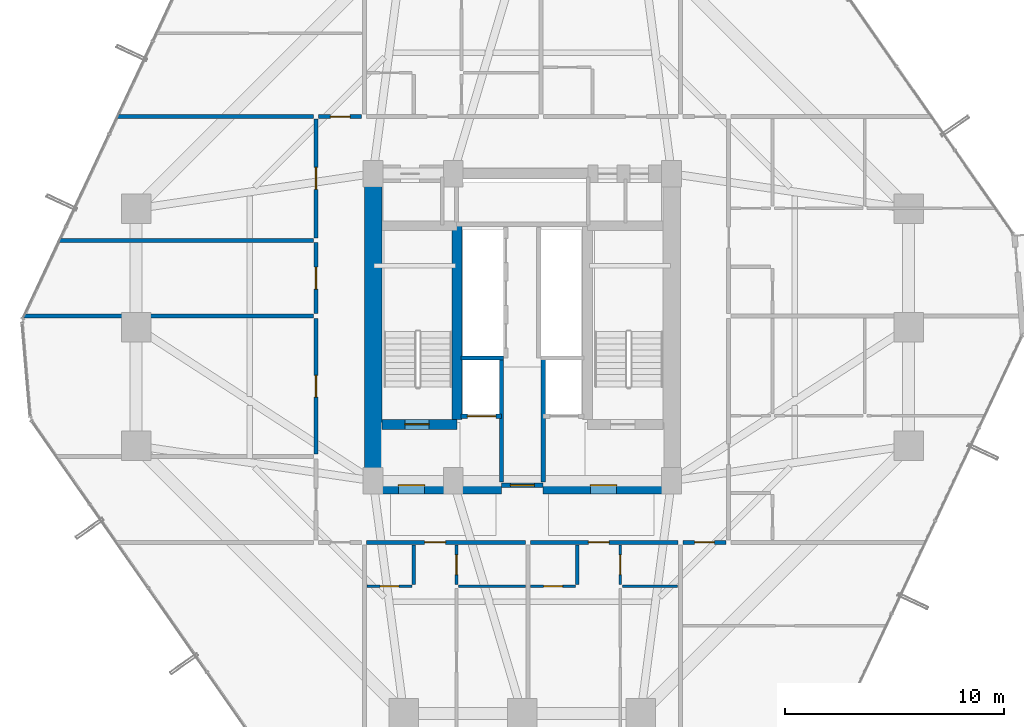
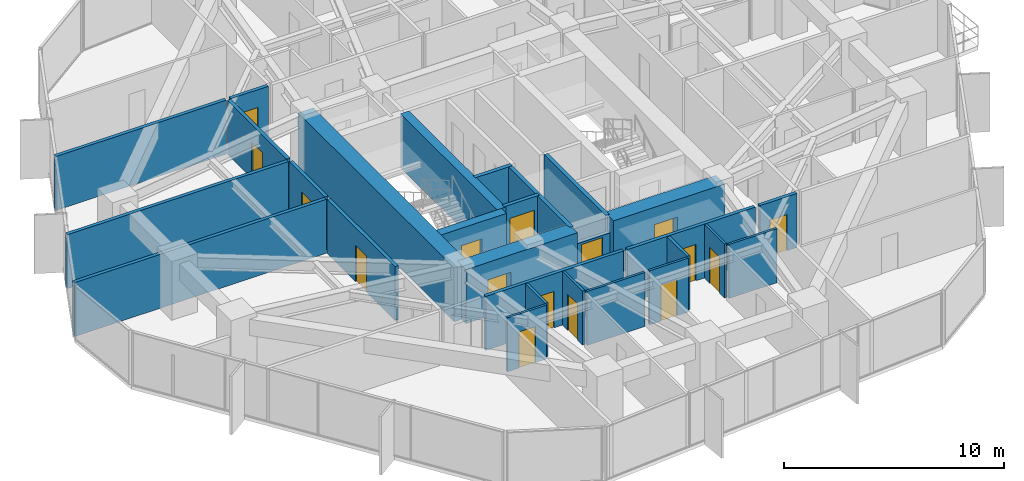
# One storey, part 33 of 37: 28 walls, 16 doors, 16 openings.
"""IFC4 building model written with IfcOpenShell, lengths in metres."""

from ifc_helpers import new_model, si_unit, direction, frame, frame_2d, origin, place, context, subcontext, project, spatial, rectangle, extrude, source, transform, mapped, material, layer, layer_set, type_object, element, fill, save


model = new_model("IFC4")

# Units and contexts
model_context = context("Model", 3, precision=1e-05, world=origin(), true_north=direction((0.0, 1.0)))
body_context = subcontext(model_context, "Body", "Model", "MODEL_VIEW")
ifc_project = project(units=[si_unit("LENGTHUNIT", "METRE"), si_unit("AREAUNIT", "SQUARE_METRE"), si_unit("VOLUMEUNIT", "CUBIC_METRE"), si_unit("PLANEANGLEUNIT", "RADIAN"), si_unit("MASSUNIT", "GRAM", prefix="KILO")], contexts=[model_context])

# Site, building, storey
site_placement = place(None, origin())
site = spatial("IfcSite", under=ifc_project, at=site_placement, CompositionType="ELEMENT")
building_placement = place(site_placement, origin())
building = spatial("IfcBuilding", under=site, at=building_placement, Name="Veraguas Prism Commons", CompositionType="ELEMENT")
storey_placement = place(building_placement, frame((0.0, 0.0, 40.300048828125)))
storey = spatial("IfcBuildingStorey", under=building, at=storey_placement, Name="L10", CompositionType="ELEMENT", Elevation=40.300048828125)

# Wall, opening, door
ifc_material_1 = material(Name="Concrete C60/75", Category="concrete")
ifc_layer_1 = layer(ifc_material_1, 0.449951171875, Name="Core Internal Shear Wall Lower RC 450", Category="concrete")
ifc_layer_set_1 = layer_set([ifc_layer_1], Name="Concrete C60/75")
wall_type_1 = type_object("IfcWallType", Name="Core Internal Shear Wall Lower RC 450", PredefinedType="SHEAR", material=ifc_layer_set_1)
wall_1_placement = place(storey_placement, frame((17.60009765625, 19.574951171875, 0.0), z_axis=(0.0, 0.0, 1.0), x_axis=(1.0, 0.0, 0.0)))
wall_1 = element("IfcWall", 1, at=wall_1_placement, inside=storey, type_object=wall_type_1, Name="Stair ST-01 South Shear Wall L10", PredefinedType="SHEAR", context=body_context, shape_type="SweptSolid", body=[
    extrude(rectangle(XDim=3.4248046875, YDim=0.449951171875, at=frame_2d((1.71240234375, 0.0))), origin(), (0.0, 0.0, 1.0), 3.0),
])
opening_1_placement = place(wall_1_placement, frame((1.050048828125, 0.0, 0.0)))
opening_1 = element("IfcOpeningElement", 2, at=opening_1_placement, cuts=wall_1, Name="Opening DR-05", PredefinedType="OPENING", context=body_context, shape_type="SweptSolid", body=[
    extrude(rectangle(XDim=1.10009765625, YDim=2.030029296875, at=frame_2d((0.550048828125, 1.01513671875))), frame((0.0, 0.23486328125, 0.0), z_axis=(0.0, -1.0, 0.0), x_axis=(1.0, 0.0, 0.0)), (0.0, 0.0, 1.0), 0.469970703125),
])
ifc_material_2 = material(Name="Steel fire-rated door assembly", Category="steel")
door_type_1 = type_object("IfcDoorType", Name="Protected Stair and Refuge Fire Door 1100x2030", OperationType="NOTDEFINED", PredefinedType="DOOR", material=ifc_material_2)
shared_shape_1 = source(origin(), body_context, "Body", "SweptSolid", [
    extrude(rectangle(XDim=1.10009765625, YDim=2.030029296875, at=frame_2d((0.550048828125, 1.01513671875))), frame((0.0, 0.02490234375, 0.0), z_axis=(0.0, -1.0, 0.0), x_axis=(1.0, 0.0, 0.0)), (0.0, 0.0, 1.0), 0.050048828125),
])
door_1_placement = place(opening_1_placement, origin())
door_1 = element("IfcDoor", 3, at=door_1_placement, inside=storey, type_object=door_type_1, Name="Stair ST-01 Enclosure Door L10", OperationType="SINGLE_SWING_LEFT", OverallHeight=2.030029296875, OverallWidth=1.10009765625, PredefinedType="DOOR", context=body_context, shape_type="MappedRepresentation", body=[
    mapped(shared_shape_1, transform((0.0, 0.0, 0.0), scale=1.0)),
])
fill(opening_1, door_1)

# Walls
wall_2_placement = place(storey_placement, frame((21.02490234375, 19.800048828125, 0.0), z_axis=(0.0, 0.0, 1.0), x_axis=(0.0, 1.0, 0.0)))
element("IfcWall", 4, at=wall_2_placement, inside=storey, type_object=wall_type_1, Name="Stair ST-01 Inner Shear Wall L10", PredefinedType="SHEAR", context=body_context, shape_type="SweptSolid", body=[
    extrude(rectangle(XDim=8.824951171875, YDim=0.449951171875, at=frame_2d((4.41259765625, 0.0))), origin(), (0.0, 0.0, 1.0), 3.0),
])
ifc_layer_2 = layer(ifc_material_1, 0.800048828125, Name="Core Outer Shear Wall Lower RC 800", Category="concrete")
ifc_layer_set_2 = layer_set([ifc_layer_2], Name="Concrete C60/75")
wall_type_2 = type_object("IfcWallType", Name="Core Outer Shear Wall Lower RC 800", PredefinedType="SHEAR", material=ifc_layer_set_2)
wall_3_placement = place(storey_placement, frame((17.199951171875, 16.800048828125, 0.0), z_axis=(0.0, 0.0, 1.0), x_axis=(0.0, 1.0, 0.0)))
element("IfcWall", 5, at=wall_3_placement, inside=storey, type_object=wall_type_2, Name="Central Core West Shear Wall L10", PredefinedType="SHEAR", context=body_context, shape_type="SweptSolid", body=[
    extrude(rectangle(XDim=14.199951171875, YDim=0.800048828125, at=frame_2d((7.10009765625, 0.0))), origin(), (0.0, 0.0, 1.0), 3.0),
])

# Wall, opening, door
wall_4_placement = place(storey_placement, frame((17.199951171875, 16.800048828125, 0.0), z_axis=(0.0, 0.0, 1.0), x_axis=(1.0, 0.0, 0.0)))
wall_4 = element("IfcWall", 6, at=wall_4_placement, inside=storey, type_object=wall_type_2, Name="Central Core South-West Shear Wall L10", PredefinedType="SHEAR", context=body_context, shape_type="SweptSolid", body=[
    extrude(rectangle(XDim=5.85009765625, YDim=0.800048828125, at=frame_2d((2.925048828125, 0.0))), origin(), (0.0, 0.0, 1.0), 3.0),
])
opening_2_placement = place(wall_4_placement, frame((1.14990234375, 0.0, 0.0)))
opening_2 = element("IfcOpeningElement", 7, at=opening_2_placement, cuts=wall_4, Name="Opening DR-06", PredefinedType="OPENING", context=body_context, shape_type="SweptSolid", body=[
    extrude(rectangle(XDim=1.199951171875, YDim=2.030029296875, at=frame_2d((0.60009765625, 1.01513671875))), frame((0.0, 0.409912109375, 0.0), z_axis=(0.0, -1.0, 0.0), x_axis=(1.0, 0.0, 0.0)), (0.0, 0.0, 1.0), 0.820068359375),
])
door_type_2 = type_object("IfcDoorType", Name="Firefighting Lobby Smoke Door 1200x2030", OperationType="NOTDEFINED", PredefinedType="DOOR", material=ifc_material_2)
shared_shape_2 = source(origin(), body_context, "Body", "SweptSolid", [
    extrude(rectangle(XDim=1.199951171875, YDim=2.030029296875, at=frame_2d((0.60009765625, 1.01513671875))), frame((0.0, 0.02490234375, 0.0), z_axis=(0.0, -1.0, 0.0), x_axis=(1.0, 0.0, 0.0)), (0.0, 0.0, 1.0), 0.050048828125),
])
door_2_placement = place(opening_2_placement, origin())
door_2 = element("IfcDoor", 8, at=door_2_placement, inside=storey, type_object=door_type_2, Name="West FF Lobby Door L10", OperationType="SINGLE_SWING_LEFT", OverallHeight=2.030029296875, OverallWidth=1.199951171875, PredefinedType="DOOR", context=body_context, shape_type="MappedRepresentation", body=[
    mapped(shared_shape_2, transform((0.0, 0.0, 0.0), scale=1.0)),
])
fill(opening_2, door_2)

wall_5_placement = place(storey_placement, frame((24.949951171875, 16.800048828125, 0.0), z_axis=(0.0, 0.0, 1.0), x_axis=(1.0, 0.0, 0.0)))
wall_5 = element("IfcWall", 9, at=wall_5_placement, inside=storey, type_object=wall_type_2, Name="Central Core South-East Shear Wall L10", PredefinedType="SHEAR", context=body_context, shape_type="SweptSolid", body=[
    extrude(rectangle(XDim=5.85009765625, YDim=0.800048828125, at=frame_2d((2.925048828125, 0.0))), origin(), (0.0, 0.0, 1.0), 3.0),
])
opening_3_placement = place(wall_5_placement, frame((2.14990234375, 0.0, 0.0)))
opening_3 = element("IfcOpeningElement", 10, at=opening_3_placement, cuts=wall_5, Name="Opening DR-06", PredefinedType="OPENING", context=body_context, shape_type="SweptSolid", body=[
    extrude(rectangle(XDim=1.199951171875, YDim=2.030029296875, at=frame_2d((0.60009765625, 1.01513671875))), frame((0.0, 0.409912109375, 0.0), z_axis=(0.0, -1.0, 0.0), x_axis=(1.0, 0.0, 0.0)), (0.0, 0.0, 1.0), 0.820068359375),
])
door_3_placement = place(opening_3_placement, origin())
door_3 = element("IfcDoor", 11, at=door_3_placement, inside=storey, type_object=door_type_2, Name="East FF Lobby Door L10", OperationType="SINGLE_SWING_LEFT", OverallHeight=2.030029296875, OverallWidth=1.199951171875, PredefinedType="DOOR", context=body_context, shape_type="MappedRepresentation", body=[
    mapped(shared_shape_2, transform((0.0, 0.0, 0.0), scale=1.0)),
])
fill(opening_3, door_3)

ifc_material_3 = material(Name="Autoclaved aerated masonry block 10 MPa", Category="masonry")
ifc_layer_3 = layer(ifc_material_3, 0.179931640625, Name="Corridor and Inter-Tenancy Partition 180", Category="masonry")
ifc_layer_set_3 = layer_set([ifc_layer_3], Name="Autoclaved aerated masonry block 10 MPa")
wall_type_3 = type_object("IfcWallType", Name="Corridor and Inter-Tenancy Partition 180", PredefinedType="PARTITIONING", material=ifc_layer_set_3)
wall_6_placement = place(storey_placement, frame((16.909912109375, 14.199951171875, 0.0), z_axis=(0.0, 0.0, 1.0), x_axis=(1.0, 0.0, 0.0)))
wall_6 = element("IfcWall", 12, at=wall_6_placement, inside=storey, type_object=wall_type_3, Name="WL-L10-PT003", PredefinedType="PARTITIONING", context=body_context, shape_type="SweptSolid", body=[
    extrude(rectangle(XDim=7.238037109375, YDim=0.179931640625, at=frame_2d((3.619140625, 0.0))), origin(), (0.0, 0.0, 1.0), 3.0),
])
opening_4_placement = place(wall_6_placement, frame((2.639892578125, 0.0, 0.0)))
opening_4 = element("IfcOpeningElement", 13, at=opening_4_placement, cuts=wall_6, Name="Opening DR-01", PredefinedType="OPENING", context=body_context, shape_type="SweptSolid", body=[
    extrude(rectangle(XDim=0.949951171875, YDim=2.02001953125, at=frame_2d((0.47509765625, 1.010009765625))), frame((0.0, 0.099853515625, 0.0), z_axis=(0.0, -1.0, 0.0), x_axis=(1.0, 0.0, 0.0)), (0.0, 0.0, 1.0), 0.199951171875),
])
ifc_material_4 = material(Name="Anodised aluminium EN AW-6063 T6", Category="aluminium")
door_type_3 = type_object("IfcDoorType", Name="Apartment Entrance Fire Door 950x2020", OperationType="NOTDEFINED", PredefinedType="DOOR", material=ifc_material_4)
shared_shape_3 = source(origin(), body_context, "Body", "SweptSolid", [
    extrude(rectangle(XDim=0.949951171875, YDim=2.02001953125, at=frame_2d((0.47509765625, 1.010009765625))), frame((0.0, 0.02490234375, 0.0), z_axis=(0.0, -1.0, 0.0), x_axis=(1.0, 0.0, 0.0)), (0.0, 0.0, 1.0), 0.050048828125),
])
door_4_placement = place(opening_4_placement, origin())
door_4 = element("IfcDoor", 14, at=door_4_placement, inside=storey, type_object=door_type_3, Name="Flat 10A Entrance Door", OperationType="SINGLE_SWING_LEFT", OverallHeight=2.02001953125, OverallWidth=0.949951171875, PredefinedType="DOOR", context=body_context, shape_type="MappedRepresentation", body=[
    mapped(shared_shape_3, transform((0.0, 0.0, 0.0), scale=1.0)),
])
fill(opening_4, door_4)

wall_7_placement = place(storey_placement, frame((24.367919921875, 14.199951171875, 0.0), z_axis=(0.0, 0.0, 1.0), x_axis=(1.0, 0.0, 0.0)))
wall_7 = element("IfcWall", 15, at=wall_7_placement, inside=storey, type_object=wall_type_3, Name="WL-L10-PT010", PredefinedType="PARTITIONING", context=body_context, shape_type="SweptSolid", body=[
    extrude(rectangle(XDim=6.72216796875, YDim=0.179931640625, at=frame_2d((3.361083984375, 0.0))), origin(), (0.0, 0.0, 1.0), 3.0),
])
opening_5_placement = place(wall_7_placement, frame((2.639892578125, 0.0, 0.0)))
opening_5 = element("IfcOpeningElement", 16, at=opening_5_placement, cuts=wall_7, Name="Opening DR-01", PredefinedType="OPENING", context=body_context, shape_type="SweptSolid", body=[
    extrude(rectangle(XDim=0.949951171875, YDim=2.02001953125, at=frame_2d((0.47509765625, 1.010009765625))), frame((0.0, 0.099853515625, 0.0), z_axis=(0.0, -1.0, 0.0), x_axis=(1.0, 0.0, 0.0)), (0.0, 0.0, 1.0), 0.199951171875),
])
door_5_placement = place(opening_5_placement, origin())
door_5 = element("IfcDoor", 17, at=door_5_placement, inside=storey, type_object=door_type_3, Name="Flat 10B Entrance Door", OperationType="SINGLE_SWING_LEFT", OverallHeight=2.02001953125, OverallWidth=0.949951171875, PredefinedType="DOOR", context=body_context, shape_type="MappedRepresentation", body=[
    mapped(shared_shape_3, transform((0.0, 0.0, 0.0), scale=1.0)),
])
fill(opening_5, door_5)

# Wall
wall_8_placement = place(storey_placement, frame((14.47998046875, 33.60009765625, 0.0), z_axis=(0.0, 0.0, 1.0), x_axis=(-1.0, 0.0, 0.0)))
element("IfcWall", 18, at=wall_8_placement, inside=storey, type_object=wall_type_3, Name="WL-L10-PT029", PredefinedType="PARTITIONING", context=body_context, shape_type="SweptSolid", body=[
    extrude(rectangle(XDim=8.96826171875, YDim=0.179931640625, at=frame_2d((4.484130859375, 0.0))), origin(), (0.0, 0.0, 1.0), 3.0),
])

# Wall, opening, door
wall_9_placement = place(storey_placement, frame((14.60009765625, 18.22705078125, 0.0), z_axis=(0.0, 0.0, 1.0), x_axis=(0.0, 1.0, 0.0)))
wall_9 = element("IfcWall", 19, at=wall_9_placement, inside=storey, type_object=wall_type_3, Name="WL-L10-PT031", PredefinedType="PARTITIONING", context=body_context, shape_type="SweptSolid", body=[
    extrude(rectangle(XDim=6.1708984375, YDim=0.179931640625, at=frame_2d((3.08544921875, 0.0))), origin(), (0.0, 0.0, 1.0), 3.0),
])
opening_6_placement = place(wall_9_placement, frame((2.58544921875, 0.0, 0.0)))
opening_6 = element("IfcOpeningElement", 20, at=opening_6_placement, cuts=wall_9, Name="Opening DR-13", PredefinedType="OPENING", context=body_context, shape_type="SweptSolid", body=[
    extrude(rectangle(XDim=1.0, YDim=2.010009765625, at=frame_2d((0.5, 1.0048828125))), frame((0.0, 0.099853515625, 0.0), z_axis=(0.0, -1.0, 0.0), x_axis=(1.0, 0.0, 0.0)), (0.0, 0.0, 1.0), 0.199951171875),
])
door_type_4 = type_object("IfcDoorType", Name="Core Accessible WC and Clinic Fire Door 1000x2010", OperationType="NOTDEFINED", PredefinedType="DOOR", material=ifc_material_2)
shared_shape_4 = source(origin(), body_context, "Body", "SweptSolid", [
    extrude(rectangle(XDim=1.0, YDim=2.010009765625, at=frame_2d((0.5, 1.0048828125))), frame((0.0, 0.02490234375, 0.0), z_axis=(0.0, -1.0, 0.0), x_axis=(1.0, 0.0, 0.0)), (0.0, 0.0, 1.0), 0.050048828125),
])
door_6_placement = place(opening_6_placement, origin())
door_6 = element("IfcDoor", 21, at=door_6_placement, inside=storey, type_object=door_type_4, Name="Co-op Store W Door", OperationType="SINGLE_SWING_RIGHT", OverallHeight=2.010009765625, OverallWidth=1.0, PredefinedType="DOOR", context=body_context, shape_type="MappedRepresentation", body=[
    mapped(shared_shape_4, transform((0.0, 0.0, 0.0), scale=1.0)),
])
fill(opening_6, door_6)

# Wall
wall_10_placement = place(storey_placement, frame((14.47998046875, 24.508056640625, 0.0), z_axis=(0.0, 0.0, 1.0), x_axis=(-1.0, 0.0, 0.0)))
element("IfcWall", 22, at=wall_10_placement, inside=storey, type_object=wall_type_3, Name="WL-L10-PT033", PredefinedType="PARTITIONING", context=body_context, shape_type="SweptSolid", body=[
    extrude(rectangle(XDim=13.227294921875, YDim=0.179931640625, at=frame_2d((6.61376953125, 0.0))), origin(), (0.0, 0.0, 1.0), 3.0),
])

# Wall, opening, door
wall_11_placement = place(storey_placement, frame((14.60009765625, 24.617919921875, 0.0), z_axis=(0.0, 0.0, 1.0), x_axis=(0.0, 1.0, 0.0)))
wall_11 = element("IfcWall", 23, at=wall_11_placement, inside=storey, type_object=wall_type_3, Name="WL-L10-PT034", PredefinedType="PARTITIONING", context=body_context, shape_type="SweptSolid", body=[
    extrude(rectangle(XDim=3.235107421875, YDim=0.179931640625, at=frame_2d((1.61767578125, 0.0))), origin(), (0.0, 0.0, 1.0), 3.0),
])
opening_7_placement = place(wall_11_placement, frame((1.117431640625, 0.0, 0.0)))
opening_7 = element("IfcOpeningElement", 24, at=opening_7_placement, cuts=wall_11, Name="Opening DR-13", PredefinedType="OPENING", context=body_context, shape_type="SweptSolid", body=[
    extrude(rectangle(XDim=1.0, YDim=2.010009765625, at=frame_2d((0.5, 1.0048828125))), frame((0.0, 0.099853515625, 0.0), z_axis=(0.0, -1.0, 0.0), x_axis=(1.0, 0.0, 0.0)), (0.0, 0.0, 1.0), 0.199951171875),
])
door_7_placement = place(opening_7_placement, origin())
door_7 = element("IfcDoor", 25, at=door_7_placement, inside=storey, type_object=door_type_4, Name="Youth Homework Study Room Door", OperationType="SINGLE_SWING_LEFT", OverallHeight=2.010009765625, OverallWidth=1.0, PredefinedType="DOOR", context=body_context, shape_type="MappedRepresentation", body=[
    mapped(shared_shape_4, transform((0.0, 0.0, 0.0), scale=1.0)),
])
fill(opening_7, door_7)

wall_12_placement = place(storey_placement, frame((14.60009765625, 28.072998046875, 0.0), z_axis=(0.0, 0.0, 1.0), x_axis=(0.0, 1.0, 0.0)))
wall_12 = element("IfcWall", 26, at=wall_12_placement, inside=storey, type_object=wall_type_3, Name="WL-L10-PT035", PredefinedType="PARTITIONING", context=body_context, shape_type="SweptSolid", body=[
    extrude(rectangle(XDim=5.4169921875, YDim=0.179931640625, at=frame_2d((2.70849609375, 0.0))), origin(), (0.0, 0.0, 1.0), 3.0),
])
opening_8_placement = place(wall_12_placement, frame((2.20849609375, 0.0, 0.0)))
opening_8 = element("IfcOpeningElement", 27, at=opening_8_placement, cuts=wall_12, Name="Opening DR-13", PredefinedType="OPENING", context=body_context, shape_type="SweptSolid", body=[
    extrude(rectangle(XDim=1.0, YDim=2.010009765625, at=frame_2d((0.5, 1.0048828125))), frame((0.0, 0.099853515625, 0.0), z_axis=(0.0, -1.0, 0.0), x_axis=(1.0, 0.0, 0.0)), (0.0, 0.0, 1.0), 0.199951171875),
])
door_8_placement = place(opening_8_placement, origin())
door_8 = element("IfcDoor", 28, at=door_8_placement, inside=storey, type_object=door_type_4, Name="Co-op Store W Door", OperationType="SINGLE_SWING_RIGHT", OverallHeight=2.010009765625, OverallWidth=1.0, PredefinedType="DOOR", context=body_context, shape_type="MappedRepresentation", body=[
    mapped(shared_shape_4, transform((0.0, 0.0, 0.0), scale=1.0)),
])
fill(opening_8, door_8)

# Wall
wall_13_placement = place(storey_placement, frame((14.47998046875, 27.962890625, 0.0), z_axis=(0.0, 0.0, 1.0), x_axis=(-1.0, 0.0, 0.0)))
element("IfcWall", 29, at=wall_13_placement, inside=storey, type_object=wall_type_3, Name="WL-L10-PT036", PredefinedType="PARTITIONING", context=body_context, shape_type="SweptSolid", body=[
    extrude(rectangle(XDim=11.608642578125, YDim=0.179931640625, at=frame_2d((5.80419921875, 0.0))), origin(), (0.0, 0.0, 1.0), 3.0),
])

# Wall, opening, door
wall_14_placement = place(storey_placement, frame((31.320068359375, 14.199951171875, 0.0), z_axis=(0.0, 0.0, 1.0), x_axis=(1.0, 0.0, 0.0)))
wall_14 = element("IfcWall", 30, at=wall_14_placement, inside=storey, type_object=wall_type_3, Name="WL-L10-PT057", PredefinedType="PARTITIONING", context=body_context, shape_type="SweptSolid", body=[
    extrude(rectangle(XDim=1.9599609375, YDim=0.179931640625, at=frame_2d((0.97998046875, 0.0))), origin(), (0.0, 0.0, 1.0), 3.0),
])
opening_9_placement = place(wall_14_placement, frame((0.530029296875, 0.0, 0.0)))
opening_9 = element("IfcOpeningElement", 31, at=opening_9_placement, cuts=wall_14, Name="Opening DR-14", PredefinedType="OPENING", context=body_context, shape_type="SweptSolid", body=[
    extrude(rectangle(XDim=0.89990234375, YDim=2.010009765625, at=frame_2d((0.449951171875, 1.0048828125))), frame((0.0, 0.099853515625, 0.0), z_axis=(0.0, -1.0, 0.0), x_axis=(1.0, 0.0, 0.0)), (0.0, 0.0, 1.0), 0.199951171875),
])
door_type_5 = type_object("IfcDoorType", Name="Core Service Room Fire Door 900x2010", OperationType="NOTDEFINED", PredefinedType="DOOR", material=ifc_material_2)
shared_shape_5 = source(origin(), body_context, "Body", "SweptSolid", [
    extrude(rectangle(XDim=0.89990234375, YDim=2.010009765625, at=frame_2d((0.449951171875, 1.0048828125))), frame((0.0, 0.02490234375, 0.0), z_axis=(0.0, -1.0, 0.0), x_axis=(1.0, 0.0, 0.0)), (0.0, 0.0, 1.0), 0.050048828125),
])
door_9_placement = place(opening_9_placement, origin())
door_9 = element("IfcDoor", 32, at=door_9_placement, inside=storey, type_object=door_type_5, Name="Shared Laundry Room Door", OperationType="SINGLE_SWING_RIGHT", OverallHeight=2.010009765625, OverallWidth=0.89990234375, PredefinedType="DOOR", context=body_context, shape_type="MappedRepresentation", body=[
    mapped(shared_shape_5, transform((0.0, 0.0, 0.0), scale=1.0)),
])
fill(opening_9, door_9)

wall_15_placement = place(storey_placement, frame((14.719970703125, 33.60009765625, 0.0), z_axis=(0.0, 0.0, 1.0), x_axis=(1.0, 0.0, 0.0)))
wall_15 = element("IfcWall", 33, at=wall_15_placement, inside=storey, type_object=wall_type_3, Name="WL-L10-PT059", PredefinedType="PARTITIONING", context=body_context, shape_type="SweptSolid", body=[
    extrude(rectangle(XDim=1.9599609375, YDim=0.179931640625, at=frame_2d((0.97998046875, 0.0))), origin(), (0.0, 0.0, 1.0), 3.0),
])
opening_10_placement = place(wall_15_placement, frame((0.530029296875, 0.0, 0.0)))
opening_10 = element("IfcOpeningElement", 34, at=opening_10_placement, cuts=wall_15, Name="Opening DR-14", PredefinedType="OPENING", context=body_context, shape_type="SweptSolid", body=[
    extrude(rectangle(XDim=0.89990234375, YDim=2.010009765625, at=frame_2d((0.449951171875, 1.0048828125))), frame((0.0, 0.099853515625, 0.0), z_axis=(0.0, -1.0, 0.0), x_axis=(1.0, 0.0, 0.0)), (0.0, 0.0, 1.0), 0.199951171875),
])
door_10_placement = place(opening_10_placement, origin())
door_10 = element("IfcDoor", 35, at=door_10_placement, inside=storey, type_object=door_type_5, Name="Community Co-op Kitchen Door", OperationType="SINGLE_SWING_RIGHT", OverallHeight=2.010009765625, OverallWidth=0.89990234375, PredefinedType="DOOR", context=body_context, shape_type="MappedRepresentation", body=[
    mapped(shared_shape_5, transform((0.0, 0.0, 0.0), scale=1.0)),
])
fill(opening_10, door_10)

ifc_material_5 = material(Name="Lightweight acoustic gypsum board")
ifc_layer_4 = layer(ifc_material_5, 0.125, Name="Internal Apartment Room Partition 125")
ifc_layer_set_4 = layer_set([ifc_layer_4], Name="Lightweight acoustic gypsum board")
wall_type_4 = type_object("IfcWallType", Name="Internal Apartment Room Partition 125", PredefinedType="PARTITIONING", material=ifc_layer_set_4)
wall_16_placement = place(storey_placement, frame((16.919921875, 12.199951171875, 0.0), z_axis=(0.0, 0.0, 1.0), x_axis=(1.0, 0.0, 0.0)))
wall_16 = element("IfcWall", 36, at=wall_16_placement, inside=storey, type_object=wall_type_4, Name="WL-L10-PT005", PredefinedType="PARTITIONING", context=body_context, shape_type="SweptSolid", body=[
    extrude(rectangle(XDim=2.050048828125, YDim=0.125, at=frame_2d((1.02490234375, 0.0))), origin(), (0.0, 0.0, 1.0), 3.0),
])
opening_11_placement = place(wall_16_placement, frame((0.594970703125, 0.0, 0.0)))
opening_11 = element("IfcOpeningElement", 37, at=opening_11_placement, cuts=wall_16, Name="Opening DR-03", PredefinedType="OPENING", context=body_context, shape_type="SweptSolid", body=[
    extrude(rectangle(XDim=0.860107421875, YDim=2.010009765625, at=frame_2d((0.43017578125, 1.0048828125))), frame((0.0, 0.072509765625, 0.0), z_axis=(0.0, -1.0, 0.0), x_axis=(1.0, 0.0, 0.0)), (0.0, 0.0, 1.0), 0.14501953125),
])
ifc_material_6 = material(Name="Timber moisture-resistant leaf", Category="wood")
door_type_6 = type_object("IfcDoorType", Name="Internal Bathroom Door 860x2010", OperationType="NOTDEFINED", PredefinedType="DOOR", material=ifc_material_6)
shared_shape_6 = source(origin(), body_context, "Body", "SweptSolid", [
    extrude(rectangle(XDim=0.860107421875, YDim=2.010009765625, at=frame_2d((0.43017578125, 1.0048828125))), frame((0.0, 0.02490234375, 0.0), z_axis=(0.0, -1.0, 0.0), x_axis=(1.0, 0.0, 0.0)), (0.0, 0.0, 1.0), 0.050048828125),
])
door_11_placement = place(opening_11_placement, origin())
door_11 = element("IfcDoor", 38, at=door_11_placement, inside=storey, type_object=door_type_6, Name="Flat 10A Bathroom Door", OperationType="SINGLE_SWING_RIGHT", OverallHeight=2.010009765625, OverallWidth=0.860107421875, PredefinedType="DOOR", context=body_context, shape_type="MappedRepresentation", body=[
    mapped(shared_shape_6, transform((0.0, 0.0, 0.0), scale=1.0)),
])
fill(opening_11, door_11)

wall_17_placement = place(storey_placement, frame((21.0, 14.080078125, 0.0), z_axis=(0.0, 0.0, 1.0), x_axis=(0.0, -1.0, 0.0)))
wall_17 = element("IfcWall", 39, at=wall_17_placement, inside=storey, type_object=wall_type_4, Name="WL-L10-PT006", PredefinedType="PARTITIONING", context=body_context, shape_type="SweptSolid", body=[
    extrude(rectangle(XDim=1.800048828125, YDim=0.125, at=frame_2d((0.89990234375, 0.0))), origin(), (0.0, 0.0, 1.0), 3.0),
])
opening_12_placement = place(wall_17_placement, frame((0.449951171875, 0.0, 0.0)))
opening_12 = element("IfcOpeningElement", 40, at=opening_12_placement, cuts=wall_17, Name="Opening DR-02", PredefinedType="OPENING", context=body_context, shape_type="SweptSolid", body=[
    extrude(rectangle(XDim=0.89990234375, YDim=2.010009765625, at=frame_2d((0.449951171875, 1.0048828125))), frame((0.0, 0.072509765625, 0.0), z_axis=(0.0, -1.0, 0.0), x_axis=(1.0, 0.0, 0.0)), (0.0, 0.0, 1.0), 0.14501953125),
])
ifc_material_7 = material(Name="Timber solid core hardwood", Category="wood")
door_type_7 = type_object("IfcDoorType", Name="Internal Habitable Room Door 900x2010", OperationType="NOTDEFINED", PredefinedType="DOOR", material=ifc_material_7)
door_12_placement = place(opening_12_placement, origin())
door_12 = element("IfcDoor", 41, at=door_12_placement, inside=storey, type_object=door_type_7, Name="Flat 10A Kitchen Door", OperationType="SINGLE_SWING_LEFT", OverallHeight=2.010009765625, OverallWidth=0.89990234375, PredefinedType="DOOR", context=body_context, shape_type="MappedRepresentation", body=[
    mapped(shared_shape_5, transform((0.0, 0.0, 0.0), scale=1.0)),
])
fill(opening_12, door_12)

# Wall
wall_18_placement = place(storey_placement, frame((21.10009765625, 12.199951171875, 0.0), z_axis=(0.0, 0.0, 1.0), x_axis=(1.0, 0.0, 0.0)))
element("IfcWall", 42, at=wall_18_placement, inside=storey, type_object=wall_type_4, Name="WL-L10-PT007", PredefinedType="PARTITIONING", context=body_context, shape_type="SweptSolid", body=[
    extrude(rectangle(XDim=3.037841796875, YDim=0.125, at=frame_2d((1.51904296875, 0.0))), origin(), (0.0, 0.0, 1.0), 3.0),
])

# Wall, opening, door
wall_19_placement = place(storey_placement, frame((24.3779296875, 12.199951171875, 0.0), z_axis=(0.0, 0.0, 1.0), x_axis=(1.0, 0.0, 0.0)))
wall_19 = element("IfcWall", 43, at=wall_19_placement, inside=storey, type_object=wall_type_4, Name="WL-L10-PT012", PredefinedType="PARTITIONING", context=body_context, shape_type="SweptSolid", body=[
    extrude(rectangle(XDim=2.050048828125, YDim=0.125, at=frame_2d((1.02490234375, 0.0))), origin(), (0.0, 0.0, 1.0), 3.0),
])
opening_13_placement = place(wall_19_placement, frame((0.594970703125, 0.0, 0.0)))
opening_13 = element("IfcOpeningElement", 44, at=opening_13_placement, cuts=wall_19, Name="Opening DR-03", PredefinedType="OPENING", context=body_context, shape_type="SweptSolid", body=[
    extrude(rectangle(XDim=0.860107421875, YDim=2.010009765625, at=frame_2d((0.43017578125, 1.0048828125))), frame((0.0, 0.072509765625, 0.0), z_axis=(0.0, -1.0, 0.0), x_axis=(1.0, 0.0, 0.0)), (0.0, 0.0, 1.0), 0.14501953125),
])
door_13_placement = place(opening_13_placement, origin())
door_13 = element("IfcDoor", 45, at=door_13_placement, inside=storey, type_object=door_type_6, Name="Flat 10B Bathroom Door", OperationType="SINGLE_SWING_RIGHT", OverallHeight=2.010009765625, OverallWidth=0.860107421875, PredefinedType="DOOR", context=body_context, shape_type="MappedRepresentation", body=[
    mapped(shared_shape_6, transform((0.0, 0.0, 0.0), scale=1.0)),
])
fill(opening_13, door_13)

wall_20_placement = place(storey_placement, frame((28.4580078125, 14.080078125, 0.0), z_axis=(0.0, 0.0, 1.0), x_axis=(0.0, -1.0, 0.0)))
wall_20 = element("IfcWall", 46, at=wall_20_placement, inside=storey, type_object=wall_type_4, Name="WL-L10-PT013", PredefinedType="PARTITIONING", context=body_context, shape_type="SweptSolid", body=[
    extrude(rectangle(XDim=1.800048828125, YDim=0.125, at=frame_2d((0.89990234375, 0.0))), origin(), (0.0, 0.0, 1.0), 3.0),
])
opening_14_placement = place(wall_20_placement, frame((0.449951171875, 0.0, 0.0)))
opening_14 = element("IfcOpeningElement", 47, at=opening_14_placement, cuts=wall_20, Name="Opening DR-02", PredefinedType="OPENING", context=body_context, shape_type="SweptSolid", body=[
    extrude(rectangle(XDim=0.89990234375, YDim=2.010009765625, at=frame_2d((0.449951171875, 1.0048828125))), frame((0.0, 0.072509765625, 0.0), z_axis=(0.0, -1.0, 0.0), x_axis=(1.0, 0.0, 0.0)), (0.0, 0.0, 1.0), 0.14501953125),
])
door_14_placement = place(opening_14_placement, origin())
door_14 = element("IfcDoor", 48, at=door_14_placement, inside=storey, type_object=door_type_7, Name="Flat 10B Kitchen Door", OperationType="SINGLE_SWING_LEFT", OverallHeight=2.010009765625, OverallWidth=0.89990234375, PredefinedType="DOOR", context=body_context, shape_type="MappedRepresentation", body=[
    mapped(shared_shape_5, transform((0.0, 0.0, 0.0), scale=1.0)),
])
fill(opening_14, door_14)

# Wall
wall_21_placement = place(storey_placement, frame((28.55810546875, 12.199951171875, 0.0), z_axis=(0.0, 0.0, 1.0), x_axis=(1.0, 0.0, 0.0)))
element("IfcWall", 49, at=wall_21_placement, inside=storey, type_object=wall_type_4, Name="WL-L10-PT014", PredefinedType="PARTITIONING", context=body_context, shape_type="SweptSolid", body=[
    extrude(rectangle(XDim=2.52197265625, YDim=0.125, at=frame_2d((1.260986328125, 0.0))), origin(), (0.0, 0.0, 1.0), 3.0),
])

# Wall, opening, door
ifc_layer_5 = layer(ifc_material_3, 0.199951171875, Name="Rated Shaft and Lobby Block Wall 200", Category="masonry")
ifc_layer_set_5 = layer_set([ifc_layer_5], Name="Autoclaved aerated masonry block 10 MPa")
wall_type_5 = type_object("IfcWallType", Name="Rated Shaft and Lobby Block Wall 200", PredefinedType="SOLIDWALL", material=ifc_layer_set_5)
wall_22_placement = place(storey_placement, frame((23.050048828125, 16.800048828125, 0.0), z_axis=(0.0, 0.0, 1.0), x_axis=(1.0, 0.0, 0.0)))
wall_22 = element("IfcWall", 50, at=wall_22_placement, inside=storey, type_object=wall_type_5, Name="Central Core Lobby Entrance Wall L10", PredefinedType="SOLIDWALL", context=body_context, shape_type="SweptSolid", body=[
    extrude(rectangle(XDim=1.89990234375, YDim=0.199951171875, at=frame_2d((0.949951171875, 0.0))), origin(), (0.0, 0.0, 1.0), 2.14990234375),
])
opening_15_placement = place(wall_22_placement, frame((0.39990234375, 0.0, 0.0)))
opening_15 = element("IfcOpeningElement", 51, at=opening_15_placement, cuts=wall_22, Name="Opening DR-05", PredefinedType="OPENING", context=body_context, shape_type="SweptSolid", body=[
    extrude(rectangle(XDim=1.10009765625, YDim=2.030029296875, at=frame_2d((0.550048828125, 1.01513671875))), frame((0.0, 0.10986328125, 0.0), z_axis=(0.0, -1.0, 0.0), x_axis=(1.0, 0.0, 0.0)), (0.0, 0.0, 1.0), 0.219970703125),
])
door_15_placement = place(opening_15_placement, origin())
door_15 = element("IfcDoor", 52, at=door_15_placement, inside=storey, type_object=door_type_1, Name="Central Lobby Door L10", OperationType="SINGLE_SWING_RIGHT", OverallHeight=2.030029296875, OverallWidth=1.10009765625, PredefinedType="DOOR", context=body_context, shape_type="MappedRepresentation", body=[
    mapped(shared_shape_1, transform((0.0, 0.0, 0.0), scale=1.0)),
])
fill(opening_15, door_15)

wall_23_placement = place(storey_placement, frame((21.199951171875, 19.949951171875, 0.0), z_axis=(0.0, 0.0, 1.0), x_axis=(1.0, 0.0, 0.0)))
wall_23 = element("IfcWall", 53, at=wall_23_placement, inside=storey, type_object=wall_type_5, Name="Firefighting Lift FFL-1 Front Wall L10", PredefinedType="SOLIDWALL", context=body_context, shape_type="SweptSolid", body=[
    extrude(rectangle(XDim=1.85009765625, YDim=0.199951171875, at=frame_2d((0.925048828125, 0.0))), origin(), (0.0, 0.0, 1.0), 3.0),
])
opening_16_placement = place(wall_23_placement, frame((0.300048828125, 0.0, 0.0)))
opening_16 = element("IfcOpeningElement", 54, at=opening_16_placement, cuts=wall_23, Name="Opening LD-02", PredefinedType="OPENING", context=body_context, shape_type="SweptSolid", body=[
    extrude(rectangle(XDim=1.300048828125, YDim=2.25, at=frame_2d((0.64990234375, 1.125))), frame((0.0, 0.10986328125, 0.0), z_axis=(0.0, -1.0, 0.0), x_axis=(1.0, 0.0, 0.0)), (0.0, 0.0, 1.0), 0.219970703125),
])
ifc_material_8 = material(Name="Stainless steel AISI 316", Category="steel")
door_type_8 = type_object("IfcDoorType", Name="Firefighting Lift Sliding Landing Door 1300x2250", OperationType="NOTDEFINED", PredefinedType="DOOR", material=ifc_material_8)
shared_shape_7 = source(origin(), body_context, "Body", "SweptSolid", [
    extrude(rectangle(XDim=1.300048828125, YDim=2.25, at=frame_2d((0.64990234375, 1.125))), frame((0.0, 0.02490234375, 0.0), z_axis=(0.0, -1.0, 0.0), x_axis=(1.0, 0.0, 0.0)), (0.0, 0.0, 1.0), 0.050048828125),
])
door_16_placement = place(opening_16_placement, origin())
door_16 = element("IfcDoor", 55, at=door_16_placement, inside=storey, type_object=door_type_8, Name="Firefighting Lift FFL-1 Landing Door L10", OperationType="SLIDING_TO_LEFT", OverallHeight=2.25, OverallWidth=1.300048828125, PredefinedType="DOOR", context=body_context, shape_type="MappedRepresentation", body=[
    mapped(shared_shape_7, transform((0.0, 0.0, 0.0), scale=1.0)),
])
fill(opening_16, door_16)

# Walls
for number, where, z_axis, x_axis, name in (
    (56, (23.050048828125, 16.949951171875, 0.0), (0.0, 0.0, 1.0), (0.0, 1.0, 0.0), "West FF Lobby Divider Wall L10"),
    (57, (24.949951171875, 16.949951171875, 0.0), (0.0, 0.0, 1.0), (0.0, 1.0, 0.0), "East FF Lobby Divider Wall L10"),
):
    element("IfcWall", number, at=place(storey_placement, frame(where, z_axis=z_axis, x_axis=x_axis)), inside=storey, type_object=wall_type_5, Name=name, PredefinedType="SOLIDWALL", context=body_context, shape_type="SweptSolid", body=[
        extrude(rectangle(XDim=5.60009765625, YDim=0.199951171875, at=frame_2d((2.800048828125, 0.0))), origin(), (0.0, 0.0, 1.0), 3.0),
    ])
wall_24_placement = place(storey_placement, frame((21.199951171875, 22.60009765625, 0.0), z_axis=(0.0, 0.0, 1.0), x_axis=(1.0, 0.0, 0.0)))
element("IfcWall", 58, at=wall_24_placement, inside=storey, type_object=wall_type_5, Name="Firefighting Lift FFL-1 Rear Wall L10", PredefinedType="SOLIDWALL", context=body_context, shape_type="SweptSolid", body=[
    extrude(rectangle(XDim=1.949951171875, YDim=0.199951171875, at=frame_2d((0.97509765625, 0.0))), origin(), (0.0, 0.0, 1.0), 3.0),
])
ifc_layer_6 = layer(ifc_material_5, 0.14990234375, Name="Wet Room and Clinic Acoustic Partition 150")
ifc_layer_set_6 = layer_set([ifc_layer_6], Name="Lightweight acoustic gypsum board")
wall_type_6 = type_object("IfcWallType", Name="Wet Room and Clinic Acoustic Partition 150", PredefinedType="PARTITIONING", material=ifc_layer_set_6)
for number, where, z_axis, x_axis, name in (
    (59, (19.050048828125, 14.080078125, 0.0), (0.0, 0.0, 1.0), (0.0, -1.0, 0.0), "WL-L10-PT004"),
    (60, (26.508056640625, 14.080078125, 0.0), (0.0, 0.0, 1.0), (0.0, -1.0, 0.0), "WL-L10-PT011"),
):
    element("IfcWall", number, at=place(storey_placement, frame(where, z_axis=z_axis, x_axis=x_axis)), inside=storey, type_object=wall_type_6, Name=name, PredefinedType="PARTITIONING", context=body_context, shape_type="SweptSolid", body=[
        extrude(rectangle(XDim=1.800048828125, YDim=0.14990234375, at=frame_2d((0.89990234375, 0.0))), origin(), (0.0, 0.0, 1.0), 3.0),
    ])

save(model, "model.ifc")
